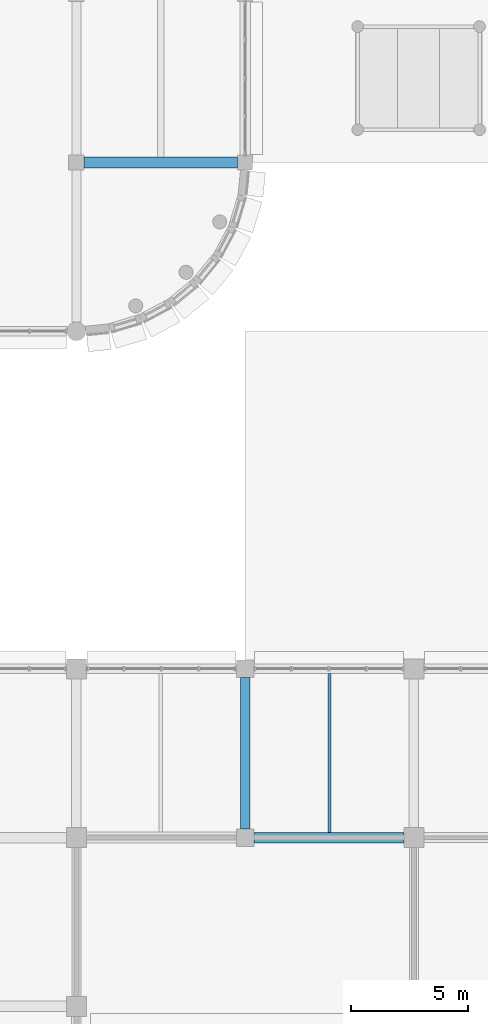
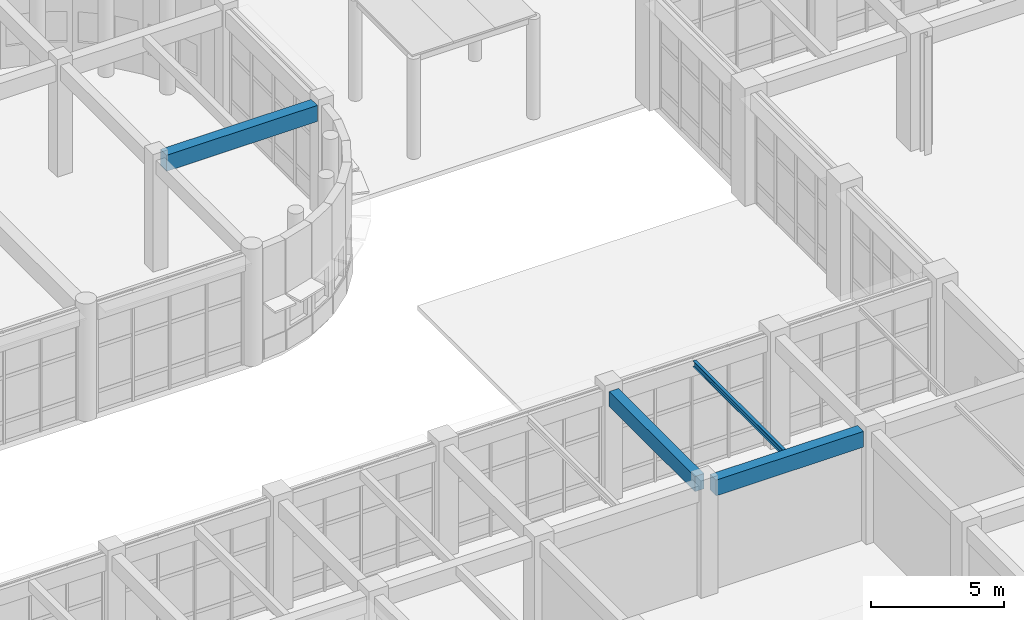
# One storey, part 37 of 160: 4 beams.
"""IFC4 building model written with IfcOpenShell, lengths in metres."""

from ifc_helpers import new_model, si_unit, direction, frame, origin, origin_2d, place, context, subcontext, project, spatial, rectangle, i_section, extrude, material, material_profile, profile_set, type_object, element, save


model = new_model("IFC4")

# Units and contexts
model_context = context("Model", 3, precision=1e-05, world=origin(), true_north=direction((0.0, 1.0)))
body_context = subcontext(model_context, "Body", "Model", "MODEL_VIEW")
ifc_project = project(units=[si_unit("LENGTHUNIT", "METRE"), si_unit("AREAUNIT", "SQUARE_METRE"), si_unit("VOLUMEUNIT", "CUBIC_METRE"), si_unit("PLANEANGLEUNIT", "RADIAN"), si_unit("MASSUNIT", "GRAM", prefix="KILO")], contexts=[model_context])

# Site, building, storey
site_placement = place(None, origin())
site = spatial("IfcSite", under=ifc_project, at=site_placement, CompositionType="ELEMENT")
building_placement = place(site_placement, origin())
building = spatial("IfcBuilding", under=site, at=building_placement, Name="Thalmaran Polytechnic", CompositionType="ELEMENT")
storey_placement = place(building_placement, origin())
storey = spatial("IfcBuildingStorey", under=building, at=storey_placement, Name="L00", CompositionType="ELEMENT", Elevation=0.0)

# Beams
ifc_material_1 = material(Name="Concrete C40/50", Category="concrete")
ifc_material_profile_1 = material_profile(ifc_material_1, rectangle(XDim=0.449951171875, YDim=0.72509765625, at=origin_2d()), Name="RC 450x725")
ifc_profile_set_1 = profile_set([ifc_material_profile_1], Name="Concrete C40/50")
beam_type_1 = type_object("IfcBeamType", Name="BM-RC04", PredefinedType="BEAM", material=ifc_profile_set_1)
beam_1_placement = place(storey_placement, frame((93.97509765625, 28.800048828125, 4.7275390625), z_axis=(1.0, 0.0, 0.0), x_axis=(0.0, 1.0, 0.0)))
element("IfcBeam", 1, at=beam_1_placement, inside=storey, type_object=beam_type_1, Name="Grid Beam B04 L00 X(13,4)", PredefinedType="BEAM", context=body_context, shape_type="SweptSolid", body=[
    extrude(rectangle(XDim=0.449951171875, YDim=0.72509765625, at=origin_2d()), origin(), (0.0, 0.0, 1.0), 6.39990234375),
])
ifc_material_2 = material(Name="Steel S355", Category="steel")
ifc_material_profile_2 = material_profile(ifc_material_2, i_section(OverallWidth=0.135009765625, OverallDepth=0.27001953125, WebThickness=0.006591796875, FlangeThickness=0.01025390625, at=origin_2d()), Name="IPE 270")
ifc_profile_set_2 = profile_set([ifc_material_profile_2], Name="Steel S355")
beam_type_2 = type_object("IfcBeamType", Name="BM-SJ03", PredefinedType="JOIST", material=ifc_profile_set_2)
beam_2_placement = place(storey_placement, frame((97.199951171875, 29.02490234375, 4.955078125), z_axis=(0.0, 1.0, 0.0), x_axis=(-1.0, 0.0, 0.0)))
element("IfcBeam", 2, at=beam_2_placement, inside=storey, type_object=beam_type_2, Name="Secondary Floor Rib SJ03 L00 (13,4)", PredefinedType="JOIST", context=body_context, shape_type="SweptSolid", body=[
    extrude(i_section(OverallWidth=0.135009765625, OverallDepth=0.27001953125, WebThickness=0.006591796875, FlangeThickness=0.01025390625, at=origin_2d()), origin(), (0.0, 0.0, 1.0), 6.775146484375),
])
ifc_material_profile_3 = material_profile(ifc_material_1, rectangle(XDim=0.4599609375, YDim=0.739990234375, at=origin_2d()), Name="RC 460x740")
ifc_profile_set_3 = profile_set([ifc_material_profile_3], Name="Concrete C40/50")
beam_type_3 = type_object("IfcBeamType", Name="BM-ZB02", PredefinedType="BEAM", material=ifc_profile_set_3)
beam_3_placement = place(storey_placement, frame((86.72509765625, 57.60009765625, 4.719970703125), z_axis=(1.0, 0.0, 0.0), x_axis=(0.0, 1.0, 0.0)))
element("IfcBeam", 3, at=beam_3_placement, inside=storey, type_object=beam_type_3, Name="Grid Beam ZB02 L00 X(12,8)", PredefinedType="BEAM", context=body_context, shape_type="SweptSolid", body=[
    extrude(rectangle(XDim=0.4599609375, YDim=0.739990234375, at=origin_2d()), origin(), (0.0, 0.0, 1.0), 6.5498046875),
])
ifc_material_profile_4 = material_profile(ifc_material_1, rectangle(XDim=0.39990234375, YDim=0.695068359375, at=origin_2d()), Name="RC 400x695")
ifc_profile_set_4 = profile_set([ifc_material_profile_4], Name="Concrete C40/50")
beam_type_4 = type_object("IfcBeamType", Name="BM-ZB08", PredefinedType="BEAM", material=ifc_profile_set_4)
beam_4_placement = place(storey_placement, frame((93.60009765625, 29.175048828125, 4.742431640625), z_axis=(0.0, 1.0, 0.0), x_axis=(-1.0, 0.0, 0.0)))
element("IfcBeam", 4, at=beam_4_placement, inside=storey, type_object=beam_type_4, Name="Grid Beam ZB08 L00 Y(13,4)", PredefinedType="BEAM", context=body_context, shape_type="SweptSolid", body=[
    extrude(rectangle(XDim=0.39990234375, YDim=0.695068359375, at=origin_2d()), origin(), (0.0, 0.0, 1.0), 6.449951171875),
])

save(model, "model.ifc")
